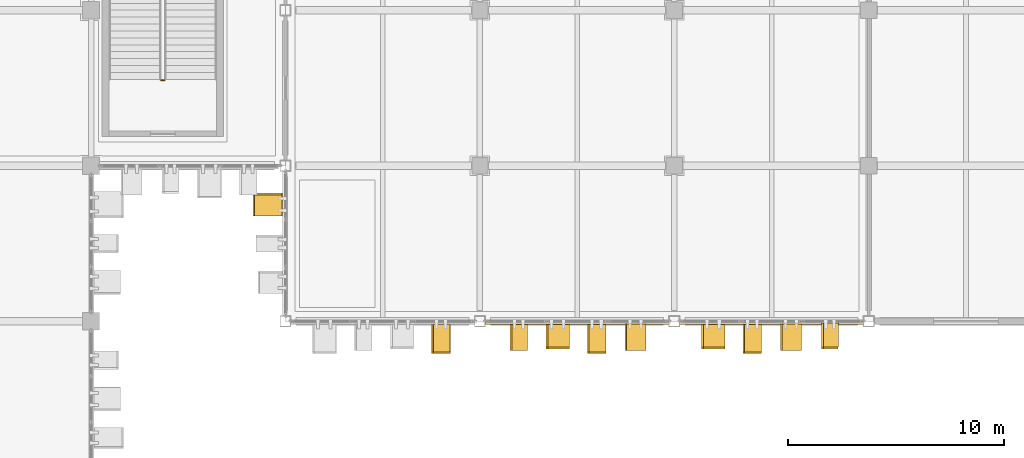
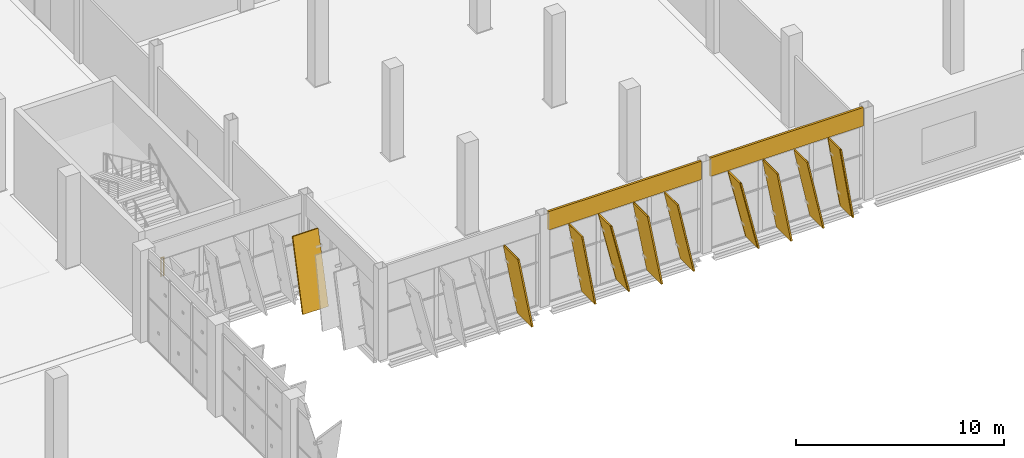
# One storey, part 125 of 137: 12 coverings, 10 shading devices, 1 railing.
"""IFC4 building model written with IfcOpenShell, lengths in metres."""

from ifc_helpers import new_model, si_unit, direction, frame, origin, origin_2d, place, context, subcontext, project, spatial, rectangle, circle, extrude, material, layer, layer_set, material_profile, profile_set, type_object, element, save


model = new_model("IFC4")

# Units and contexts
model_context = context("Model", 3, precision=1e-05, world=origin(), true_north=direction((0.0, 1.0)))
body_context = subcontext(model_context, "Body", "Model", "MODEL_VIEW")
ifc_project = project(units=[si_unit("LENGTHUNIT", "METRE"), si_unit("AREAUNIT", "SQUARE_METRE"), si_unit("VOLUMEUNIT", "CUBIC_METRE"), si_unit("PLANEANGLEUNIT", "RADIAN"), si_unit("MASSUNIT", "GRAM", prefix="KILO")], contexts=[model_context])

# Site, building, storey
site_placement = place(None, origin())
site = spatial("IfcSite", under=ifc_project, at=site_placement, CompositionType="ELEMENT")
building_placement = place(site_placement, origin())
building = spatial("IfcBuilding", under=site, at=building_placement, Name="Celestram Park Convention Centre", CompositionType="ELEMENT")
storey_placement = place(building_placement, origin())
storey = spatial("IfcBuildingStorey", under=building, at=storey_placement, Name="L00", CompositionType="ELEMENT", Elevation=0.0)

# Coverings
ifc_material_1 = material(Name="Anodised Bronze Aluminium Spandrel Cladding", Category="aluminium")
ifc_layer_1 = layer(ifc_material_1, 0.050048828125)
ifc_layer_set_1 = layer_set([ifc_layer_1], Name="Anodised Bronze Aluminium Spandrel Cladding")
covering_type_1 = type_object("IfcCoveringType", Name="ARC-COV-CLD060", PredefinedType="CLADDING", material=ifc_layer_set_1)
for number, where, z_axis, x_axis, name in (
    (1, (175.5, 115.1201171875, 4.31689453125), (0.0, 0.0, 1.0), (-1.0, 0.0, 0.0), "Bronze spandrel cladding CL-L00-001"),
    (2, (166.5, 115.1201171875, 4.31689453125), (0.0, 0.0, 1.0), (-1.0, 0.0, 0.0), "Bronze spandrel cladding CL-L00-002"),
):
    element("IfcCovering", number, at=place(storey_placement, frame(where, z_axis=z_axis, x_axis=x_axis)), inside=storey, type_object=covering_type_1, Name=name, PredefinedType="CLADDING", context=body_context, shape_type="SweptSolid", body=[
        extrude(rectangle(XDim=8.50390625, YDim=0.1201171875, at=origin_2d()), origin(), (0.0, 0.0, 1.0), 1.0830078125),
    ])
ifc_material_2 = material(Name="Timber-Toned Anodised Aluminium Alloy 6063-T6", Category="wood")
ifc_material_profile_1 = material_profile(ifc_material_2, rectangle(XDim=1.1201171875, YDim=0.090087890625, at=origin_2d()), Name="REED1120X90")
ifc_profile_set_1 = profile_set([ifc_material_profile_1], Name="Timber-Toned Anodised Aluminium Alloy 6063-T6")
covering_type_2 = type_object("IfcCoveringType", Name="ARC-COV-FIN1120", PredefinedType="CLADDING", material=ifc_profile_set_1)
for number, where, z_axis, x_axis, name in (
    (3, (178.542724609375, 114.56005859375, 0.03271484375), (-0.159862684349, 0.0, 0.987139261783), (0.0, -1.0, 0.0), "Leaning timber-toned reed fin RFN-L00-0001"),
    (4, (173.296875, 114.56005859375, 0.0634765625), (-0.231787341566, 0.0, 0.97276648189), (0.0, -1.0, 0.0), "Leaning timber-toned reed fin RFN-L00-0004"),
    (5, (166.0966796875, 114.56005859375, 0.0634765625), (-0.231733449964, 0.0, 0.972779321413), (0.0, -1.0, 0.0), "Leaning timber-toned reed fin RFN-L00-0007"),
):
    element("IfcCovering", number, at=place(storey_placement, frame(where, z_axis=z_axis, x_axis=x_axis)), inside=storey, type_object=covering_type_2, Name=name, PredefinedType="CLADDING", context=body_context, shape_type="SweptSolid", body=[
        extrude(rectangle(XDim=1.1201171875, YDim=0.090087890625, at=origin_2d()), origin(), (0.0, 0.0, 1.0), 4.286865234375),
    ])
ifc_material_profile_2 = material_profile(ifc_material_2, rectangle(XDim=1.280029296875, YDim=0.090087890625, at=origin_2d()), Name="REED1280X90")
ifc_profile_set_2 = profile_set([ifc_material_profile_2], Name="Timber-Toned Anodised Aluminium Alloy 6063-T6")
covering_type_3 = type_object("IfcCoveringType", Name="ARC-COV-FIN1280", PredefinedType="CLADDING", material=ifc_profile_set_2)
for number, where, z_axis, x_axis, name in (
    (6, (176.849365234375, 114.47998046875, 0.052490234375), (-0.209622425529, 0.0, 0.977782408676), (0.0, -1.0, 0.0), "Leaning timber-toned reed fin RFN-L00-0002"),
    (7, (169.6494140625, 114.47998046875, 0.052490234375), (-0.209622425529, 0.0, 0.977782408676), (0.0, -1.0, 0.0), "Leaning timber-toned reed fin RFN-L00-0005"),
):
    element("IfcCovering", number, at=place(storey_placement, frame(where, z_axis=z_axis, x_axis=x_axis)), inside=storey, type_object=covering_type_3, Name=name, PredefinedType="CLADDING", context=body_context, shape_type="SweptSolid", body=[
        extrude(rectangle(XDim=1.280029296875, YDim=0.090087890625, at=origin_2d()), origin(), (0.0, 0.0, 1.0), 4.287109375),
    ])
covering_1_placement = place(storey_placement, frame((164.164794921875, 114.47998046875, 0.036376953125), z_axis=(-0.170168185892, 0.0, 0.985415033633), x_axis=(0.0, -1.0, 0.0)))
element("IfcCovering", 8, at=covering_1_placement, inside=storey, type_object=covering_type_3, Name="Leaning timber-toned reed fin RFN-L00-0008", PredefinedType="CLADDING", context=body_context, shape_type="SweptSolid", body=[
    extrude(rectangle(XDim=1.280029296875, YDim=0.090087890625, at=origin_2d()), origin(), (0.0, 0.0, 1.0), 4.286865234375),
])
ifc_material_profile_3 = material_profile(ifc_material_2, rectangle(XDim=1.419921875, YDim=0.090087890625, at=origin_2d()), Name="REED1420X90")
ifc_profile_set_3 = profile_set([ifc_material_profile_3], Name="Timber-Toned Anodised Aluminium Alloy 6063-T6")
covering_type_4 = type_object("IfcCoveringType", Name="ARC-COV-FIN1420", PredefinedType="CLADDING", material=ifc_profile_set_3)
for number, where, z_axis, x_axis, name in (
    (9, (174.98681640625, 114.409912109375, 0.040283203125), (-0.180473876264, 0.0, 0.98357977815), (0.0, -1.0, 0.0), "Leaning timber-toned reed fin RFN-L00-0003"),
    (10, (167.786865234375, 114.409912109375, 0.040283203125), (-0.180473876264, 0.0, 0.98357977815), (0.0, -1.0, 0.0), "Leaning timber-toned reed fin RFN-L00-0006"),
):
    element("IfcCovering", number, at=place(storey_placement, frame(where, z_axis=z_axis, x_axis=x_axis)), inside=storey, type_object=covering_type_4, Name=name, PredefinedType="CLADDING", context=body_context, shape_type="SweptSolid", body=[
        extrude(rectangle(XDim=1.419921875, YDim=0.090087890625, at=origin_2d()), origin(), (0.0, 0.0, 1.0), 4.286865234375),
    ])
covering_2_placement = place(storey_placement, frame((160.5869140625, 114.409912109375, 0.040283203125), z_axis=(-0.180528970301, 0.0, 0.983569667529), x_axis=(0.0, -1.0, 0.0)))
element("IfcCovering", 11, at=covering_2_placement, inside=storey, type_object=covering_type_4, Name="Leaning timber-toned reed fin RFN-L00-0009", PredefinedType="CLADDING", context=body_context, shape_type="SweptSolid", body=[
    extrude(rectangle(XDim=1.419921875, YDim=0.090087890625, at=origin_2d()), origin(), (0.0, 0.0, 1.0), 4.287109375),
])
covering_3_placement = place(storey_placement, frame((152.2099609375, 120.109375, 0.064453125), z_axis=(0.0, 0.238567939095, 0.971125809788), x_axis=(-1.0, 0.0, 0.0)))
element("IfcCovering", 12, at=covering_3_placement, inside=storey, type_object=covering_type_4, Name="Leaning timber-toned reed fin RFN-L00-0015", PredefinedType="CLADDING", context=body_context, shape_type="SweptSolid", body=[
    extrude(rectangle(XDim=1.419921875, YDim=0.090087890625, at=origin_2d()), origin(), (0.0, 0.0, 1.0), 4.114013671875),
])

# Shading devices
ifc_material_3 = material(Name="Anodised Bronze Aluminium Alloy 6063-T6", Category="aluminium")
ifc_material_profile_4 = material_profile(ifc_material_3, rectangle(XDim=1.280029296875, YDim=0.080078125, at=origin_2d()), Name="FIN1280X80")
ifc_profile_set_4 = profile_set([ifc_material_profile_4], Name="Anodised Bronze Aluminium Alloy 6063-T6")
shading_device_type = type_object("IfcShadingDeviceType", Name="ARC-FIN-BZ1280", PredefinedType="USERDEFINED", material=ifc_profile_set_4)
shading_device_1_placement = place(storey_placement, frame((178.542724609375, 114.56005859375, 0.03271484375), z_axis=(-0.159862684349, 0.0, 0.987139261783), x_axis=(0.0, -1.0, 0.0)))
element("IfcShadingDevice", 13, at=shading_device_1_placement, inside=storey, type_object=shading_device_type, Name="Expressive solar fin FN-L00-0001", ObjectType="SOLAR_FIN", PredefinedType="USERDEFINED", context=body_context, shape_type="SweptSolid", body=[
    extrude(rectangle(XDim=1.280029296875, YDim=0.080078125, at=origin_2d()), origin(), (0.0, 0.0, 1.0), 4.286865234375),
])
shading_device_2_placement = place(storey_placement, frame((176.849365234375, 114.47998046875, 0.052490234375), z_axis=(-0.209622425529, 0.0, 0.977782408676), x_axis=(0.0, -1.0, 0.0)))
element("IfcShadingDevice", 14, at=shading_device_2_placement, inside=storey, type_object=shading_device_type, Name="Expressive solar fin FN-L00-0002", ObjectType="SOLAR_FIN", PredefinedType="USERDEFINED", context=body_context, shape_type="SweptSolid", body=[
    extrude(rectangle(XDim=1.280029296875, YDim=0.080078125, at=origin_2d()), origin(), (0.0, 0.0, 1.0), 4.287109375),
])
for number, where, z_axis, x_axis, name in (
    (15, (174.98681640625, 114.409912109375, 0.040283203125), (-0.180473876264, 0.0, 0.98357977815), (0.0, -1.0, 0.0), "Expressive solar fin FN-L00-0003"),
    (16, (173.296875, 114.56005859375, 0.0634765625), (-0.231787341566, 0.0, 0.97276648189), (0.0, -1.0, 0.0), "Expressive solar fin FN-L00-0004"),
):
    element("IfcShadingDevice", number, at=place(storey_placement, frame(where, z_axis=z_axis, x_axis=x_axis)), inside=storey, type_object=shading_device_type, Name=name, ObjectType="SOLAR_FIN", PredefinedType="USERDEFINED", context=body_context, shape_type="SweptSolid", body=[
        extrude(rectangle(XDim=1.280029296875, YDim=0.080078125, at=origin_2d()), origin(), (0.0, 0.0, 1.0), 4.286865234375),
    ])
shading_device_3_placement = place(storey_placement, frame((169.6494140625, 114.47998046875, 0.052490234375), z_axis=(-0.209622425529, 0.0, 0.977782408676), x_axis=(0.0, -1.0, 0.0)))
element("IfcShadingDevice", 17, at=shading_device_3_placement, inside=storey, type_object=shading_device_type, Name="Expressive solar fin FN-L00-0005", ObjectType="SOLAR_FIN", PredefinedType="USERDEFINED", context=body_context, shape_type="SweptSolid", body=[
    extrude(rectangle(XDim=1.280029296875, YDim=0.080078125, at=origin_2d()), origin(), (0.0, 0.0, 1.0), 4.287109375),
])
for number, where, z_axis, x_axis, name in (
    (18, (167.786865234375, 114.409912109375, 0.040283203125), (-0.180473876264, 0.0, 0.98357977815), (0.0, -1.0, 0.0), "Expressive solar fin FN-L00-0006"),
    (19, (166.0966796875, 114.56005859375, 0.0634765625), (-0.231733449964, 0.0, 0.972779321413), (0.0, -1.0, 0.0), "Expressive solar fin FN-L00-0007"),
    (20, (164.164794921875, 114.47998046875, 0.036376953125), (-0.170168185892, 0.0, 0.985415033633), (0.0, -1.0, 0.0), "Expressive solar fin FN-L00-0008"),
):
    element("IfcShadingDevice", number, at=place(storey_placement, frame(where, z_axis=z_axis, x_axis=x_axis)), inside=storey, type_object=shading_device_type, Name=name, ObjectType="SOLAR_FIN", PredefinedType="USERDEFINED", context=body_context, shape_type="SweptSolid", body=[
        extrude(rectangle(XDim=1.280029296875, YDim=0.080078125, at=origin_2d()), origin(), (0.0, 0.0, 1.0), 4.286865234375),
    ])
shading_device_4_placement = place(storey_placement, frame((160.5869140625, 114.409912109375, 0.040283203125), z_axis=(-0.180528970301, 0.0, 0.983569667529), x_axis=(0.0, -1.0, 0.0)))
element("IfcShadingDevice", 21, at=shading_device_4_placement, inside=storey, type_object=shading_device_type, Name="Expressive solar fin FN-L00-0009", ObjectType="SOLAR_FIN", PredefinedType="USERDEFINED", context=body_context, shape_type="SweptSolid", body=[
    extrude(rectangle(XDim=1.280029296875, YDim=0.080078125, at=origin_2d()), origin(), (0.0, 0.0, 1.0), 4.287109375),
])
shading_device_5_placement = place(storey_placement, frame((152.2099609375, 120.109375, 0.064453125), z_axis=(0.0, 0.238567939095, 0.971125809788), x_axis=(-1.0, 0.0, 0.0)))
element("IfcShadingDevice", 22, at=shading_device_5_placement, inside=storey, type_object=shading_device_type, Name="Expressive solar fin FN-L00-0015", ObjectType="SOLAR_FIN", PredefinedType="USERDEFINED", context=body_context, shape_type="SweptSolid", body=[
    extrude(rectangle(XDim=1.280029296875, YDim=0.080078125, at=origin_2d()), origin(), (0.0, 0.0, 1.0), 4.114013671875),
])

# Railing
ifc_material_4 = material(Name="Stainless Steel AISI 316L & Laminated Glass", Category="steel")
ifc_layer_2 = layer(ifc_material_4, 0.06005859375)
ifc_layer_set_2 = layer_set([ifc_layer_2], Name="Stainless Steel AISI 316L & Laminated Glass")
railing_type = type_object("IfcRailingType", Name="ARC-RL-GRD1120", PredefinedType="GUARDRAIL", material=ifc_layer_set_2)
railing_placement = place(storey_placement, frame((147.39990234375, 126.35009765625, 0.0)))
element("IfcRailing", 23, at=railing_placement, inside=storey, type_object=railing_type, Name="L00 ST-10 stair guard 4", PredefinedType="GUARDRAIL", context=body_context, shape_type="SweptSolid", body=[
    extrude(circle(Radius=0.02392578125, at=origin_2d()), frame((0.0, 0.0, 1.09619140625), z_axis=(-1.0, 0.0, 0.0), x_axis=(0.0, -1.0, 0.0)), (0.0, 0.0, 1.0), 0.159912109375),
    extrude(circle(Radius=0.02099609375, at=origin_2d()), origin(), (0.0, 0.0, 1.0), 1.072021484375),
    extrude(circle(Radius=0.02099609375, at=origin_2d()), frame((-0.159912109375, 0.0, 0.0)), (0.0, 0.0, 1.0), 1.072021484375),
])

save(model, "model.ifc")
